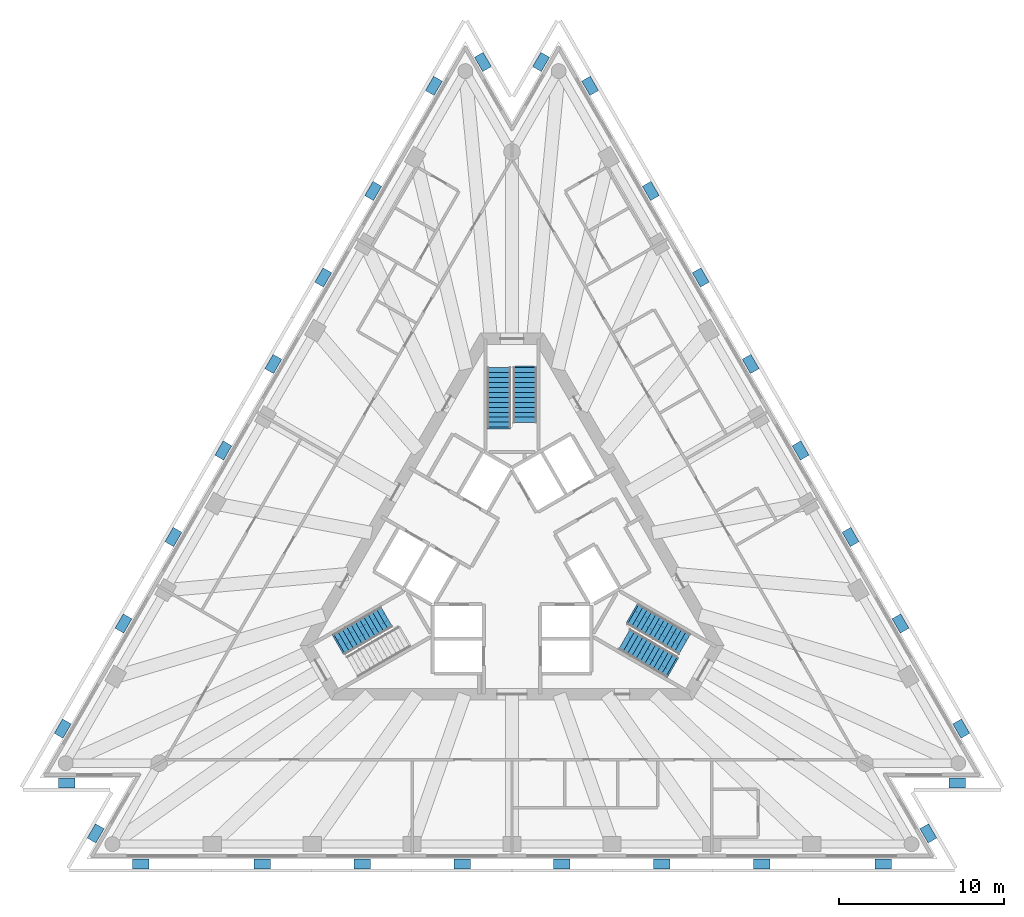
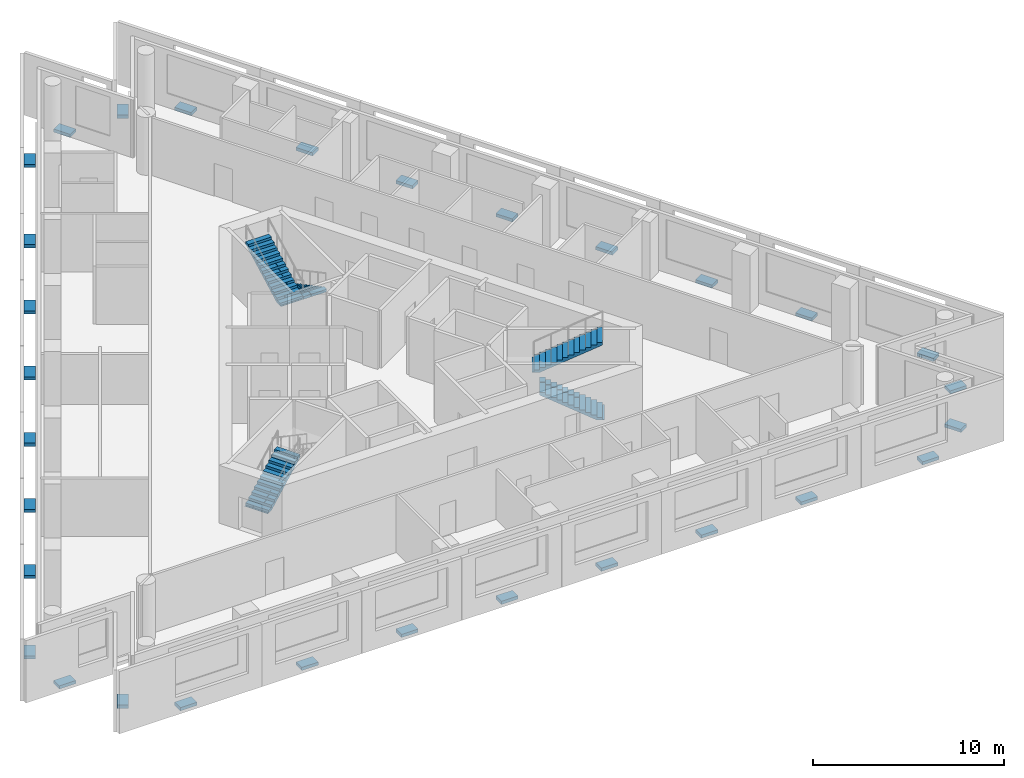
# One storey, part 7 of 9: 30 discrete accessories, 5 stair flights, 3 elements without a shape of their own.
"""IFC4 building model written with IfcOpenShell, lengths in metres."""

from ifc_helpers import new_model, si_unit, direction, frame, origin, origin_2d, place, context, subcontext, project, spatial, polyline, rectangle, outline, extrude, material, type_object, element, aggregate, save


model = new_model("IFC4")

# Units and contexts
model_context = context("Model", 3, precision=1e-05, world=origin(), true_north=direction((0.0, 1.0)))
body_context = subcontext(model_context, "Body", "Model", "MODEL_VIEW")
ifc_project = project(units=[si_unit("LENGTHUNIT", "METRE"), si_unit("AREAUNIT", "SQUARE_METRE"), si_unit("VOLUMEUNIT", "CUBIC_METRE"), si_unit("PLANEANGLEUNIT", "RADIAN"), si_unit("MASSUNIT", "GRAM", prefix="KILO")], contexts=[model_context])

# Site, building, storey
site_placement = place(None, origin())
site = spatial("IfcSite", under=ifc_project, at=site_placement, CompositionType="ELEMENT")
building_placement = place(site_placement, origin())
building = spatial("IfcBuilding", under=site, at=building_placement, Name="Triada Interchange Tower", CompositionType="ELEMENT")
storey_placement = place(building_placement, frame((0.0, 0.0, 215.300048828125)))
storey = spatial("IfcBuildingStorey", under=building, at=storey_placement, Name="L50", CompositionType="ELEMENT", Elevation=215.300048828125)

# Stair, stair flights
ifc_material_1 = material(Name="Concrete C35/45", Category="concrete")
stair_type = type_object("IfcStairType", Name="HALF TURN STAIR 1400", PredefinedType="HALF_TURN_STAIR", material=ifc_material_1)
stair_1_placement = place(storey_placement, origin())
stair_1 = element("IfcStair", 1, at=stair_1_placement, inside=storey, type_object=stair_type, Name="Exit stair S50-1", PredefinedType="HALF_TURN_STAIR")
stair_flight_type = type_object("IfcStairFlightType", Name="STRAIGHT STAIR FLIGHT 1400", PredefinedType="STRAIGHT", material=ifc_material_1)
stair_flight_1_placement = place(storey_placement, frame((0.800048828125, 11.60009765625, 0.0), z_axis=(0.0, 0.0, 1.0), x_axis=(0.0, -1.0, 0.0)))
stair_flight_1 = element("IfcStairFlight", 2, at=stair_flight_1_placement, type_object=stair_flight_type, Name="S50-1 flight 1", NumberOfRisers=12, NumberOfTreads=11, PredefinedType="STRAIGHT", RiserHeight=0.16, TreadLength=0.3, context=body_context, shape_type="SweptSolid", body=[
    extrude(outline(polyline([(-0.10009765625, 0.0), (-0.10009765625, 0.02001953125), (0.0, 0.02001953125), (0.0, 0.159912109375), (0.300048828125, 0.159912109375), (0.300048828125, 0.320068359375), (0.60009765625, 0.320068359375), (0.60009765625, 0.47998046875), (0.89990234375, 0.47998046875), (0.89990234375, 0.639892578125), (1.199951171875, 0.639892578125), (1.199951171875, 0.800048828125), (1.5, 0.800048828125), (1.5, 0.9599609375), (1.800048828125, 0.9599609375), (1.800048828125, 1.1201171875), (2.10009765625, 1.1201171875), (2.10009765625, 1.280029296875), (2.39990234375, 1.280029296875), (2.39990234375, 1.43994140625), (2.699951171875, 1.43994140625), (2.699951171875, 1.60009765625), (3.0, 1.60009765625), (3.0, 1.760009765625), (3.300048828125, 1.760009765625), (3.303955078125, 1.760009765625), (3.303955078125, 1.919921875), (3.303955078125, 1.590087890625), (0.318603515625, 0.0), (-0.10009765625, 0.0)])), frame((0.0, 0.699951171875, 0.0), z_axis=(0.0, -1.0, 0.0), x_axis=(1.0, 0.0, 0.0)), (0.0, 0.0, 1.0), 0.46533203125),
    extrude(outline(polyline([(-0.10009765625, 0.0), (-0.10009765625, 0.02001953125), (0.0, 0.02001953125), (0.0, 0.159912109375), (0.300048828125, 0.159912109375), (0.300048828125, 0.320068359375), (0.60009765625, 0.320068359375), (0.60009765625, 0.47998046875), (0.89990234375, 0.47998046875), (0.89990234375, 0.639892578125), (1.199951171875, 0.639892578125), (1.199951171875, 0.800048828125), (1.5, 0.800048828125), (1.5, 0.9599609375), (1.800048828125, 0.9599609375), (1.800048828125, 1.1201171875), (2.10009765625, 1.1201171875), (2.10009765625, 1.280029296875), (2.39990234375, 1.280029296875), (2.39990234375, 1.43994140625), (2.699951171875, 1.43994140625), (2.699951171875, 1.60009765625), (3.0, 1.60009765625), (3.0, 1.760009765625), (3.300048828125, 1.760009765625), (3.303955078125, 1.760009765625), (3.303955078125, 1.919921875), (3.303955078125, 1.590087890625), (0.318603515625, 0.0), (-0.10009765625, 0.0)])), frame((0.0, 0.232666015625, 0.0), z_axis=(0.0, -1.0, 0.0), x_axis=(1.0, 0.0, 0.0)), (0.0, 0.0, 1.0), 0.46533203125),
    extrude(outline(polyline([(-0.10009765625, 0.0), (-0.10009765625, 0.02001953125), (0.0, 0.02001953125), (0.0, 0.159912109375), (0.300048828125, 0.159912109375), (0.300048828125, 0.320068359375), (0.60009765625, 0.320068359375), (0.60009765625, 0.47998046875), (0.89990234375, 0.47998046875), (0.89990234375, 0.639892578125), (1.199951171875, 0.639892578125), (1.199951171875, 0.800048828125), (1.5, 0.800048828125), (1.5, 0.9599609375), (1.800048828125, 0.9599609375), (1.800048828125, 1.1201171875), (2.10009765625, 1.1201171875), (2.10009765625, 1.280029296875), (2.39990234375, 1.280029296875), (2.39990234375, 1.43994140625), (2.699951171875, 1.43994140625), (2.699951171875, 1.60009765625), (3.0, 1.60009765625), (3.0, 1.760009765625), (3.300048828125, 1.760009765625), (3.303955078125, 1.760009765625), (3.303955078125, 1.919921875), (3.303955078125, 1.590087890625), (0.318603515625, 0.0), (-0.10009765625, 0.0)])), frame((0.0, -0.234619140625, 0.0), z_axis=(0.0, -1.0, 0.0), x_axis=(1.0, 0.0, 0.0)), (0.0, 0.0, 1.0), 0.46533203125),
])
stair_flight_2_placement = place(storey_placement, frame((-0.800048828125, 8.0, 1.919921875), z_axis=(0.0, 0.0, 1.0), x_axis=(0.0, 1.0, 0.0)))
stair_flight_2 = element("IfcStairFlight", 3, at=stair_flight_2_placement, type_object=stair_flight_type, Name="S50-1 flight 2", NumberOfRisers=13, NumberOfTreads=12, PredefinedType="STRAIGHT", RiserHeight=0.16, TreadLength=0.3, context=body_context, shape_type="SweptSolid", body=[
    extrude(outline(polyline([(-0.10009765625, 0.0), (-0.10009765625, 0.02001953125), (0.0, 0.02001953125), (0.0, 0.159912109375), (0.300048828125, 0.159912109375), (0.300048828125, 0.320068359375), (0.60009765625, 0.320068359375), (0.60009765625, 0.47998046875), (0.89990234375, 0.47998046875), (0.89990234375, 0.639892578125), (1.199951171875, 0.639892578125), (1.199951171875, 0.800048828125), (1.5, 0.800048828125), (1.5, 0.9599609375), (1.800048828125, 0.9599609375), (1.800048828125, 1.1201171875), (2.10009765625, 1.1201171875), (2.10009765625, 1.280029296875), (2.39990234375, 1.280029296875), (2.39990234375, 1.43994140625), (2.699951171875, 1.43994140625), (2.699951171875, 1.60009765625), (3.0, 1.60009765625), (3.0, 1.760009765625), (3.300048828125, 1.760009765625), (3.300048828125, 1.919921875), (3.60009765625, 1.919921875), (3.60400390625, 1.919921875), (3.60400390625, 2.080078125), (3.60400390625, 1.75), (0.318603515625, 0.0), (-0.10009765625, 0.0)])), frame((0.0, 0.699951171875, 0.0), z_axis=(0.0, -1.0, 0.0), x_axis=(1.0, 0.0, 0.0)), (0.0, 0.0, 1.0), 0.46533203125),
    extrude(outline(polyline([(-0.10009765625, 0.0), (-0.10009765625, 0.02001953125), (0.0, 0.02001953125), (0.0, 0.159912109375), (0.300048828125, 0.159912109375), (0.300048828125, 0.320068359375), (0.60009765625, 0.320068359375), (0.60009765625, 0.47998046875), (0.89990234375, 0.47998046875), (0.89990234375, 0.639892578125), (1.199951171875, 0.639892578125), (1.199951171875, 0.800048828125), (1.5, 0.800048828125), (1.5, 0.9599609375), (1.800048828125, 0.9599609375), (1.800048828125, 1.1201171875), (2.10009765625, 1.1201171875), (2.10009765625, 1.280029296875), (2.39990234375, 1.280029296875), (2.39990234375, 1.43994140625), (2.699951171875, 1.43994140625), (2.699951171875, 1.60009765625), (3.0, 1.60009765625), (3.0, 1.760009765625), (3.300048828125, 1.760009765625), (3.300048828125, 1.919921875), (3.60009765625, 1.919921875), (3.60400390625, 1.919921875), (3.60400390625, 2.080078125), (3.60400390625, 1.75), (0.318603515625, 0.0), (-0.10009765625, 0.0)])), frame((0.0, 0.232666015625, 0.0), z_axis=(0.0, -1.0, 0.0), x_axis=(1.0, 0.0, 0.0)), (0.0, 0.0, 1.0), 0.46533203125),
    extrude(outline(polyline([(-0.10009765625, 0.0), (-0.10009765625, 0.02001953125), (0.0, 0.02001953125), (0.0, 0.159912109375), (0.300048828125, 0.159912109375), (0.300048828125, 0.320068359375), (0.60009765625, 0.320068359375), (0.60009765625, 0.47998046875), (0.89990234375, 0.47998046875), (0.89990234375, 0.639892578125), (1.199951171875, 0.639892578125), (1.199951171875, 0.800048828125), (1.5, 0.800048828125), (1.5, 0.9599609375), (1.800048828125, 0.9599609375), (1.800048828125, 1.1201171875), (2.10009765625, 1.1201171875), (2.10009765625, 1.280029296875), (2.39990234375, 1.280029296875), (2.39990234375, 1.43994140625), (2.699951171875, 1.43994140625), (2.699951171875, 1.60009765625), (3.0, 1.60009765625), (3.0, 1.760009765625), (3.300048828125, 1.760009765625), (3.300048828125, 1.919921875), (3.60009765625, 1.919921875), (3.60400390625, 1.919921875), (3.60400390625, 2.080078125), (3.60400390625, 1.75), (0.318603515625, 0.0), (-0.10009765625, 0.0)])), frame((0.0, -0.234619140625, 0.0), z_axis=(0.0, -1.0, 0.0), x_axis=(1.0, 0.0, 0.0)), (0.0, 0.0, 1.0), 0.46533203125),
])
aggregate(stair_1, [stair_flight_1, stair_flight_2])

# Stair, stair flight
stair_2_placement = place(storey_placement, origin())
stair_2 = element("IfcStair", 4, at=stair_2_placement, inside=storey, type_object=stair_type, Name="Exit stair S50-2", PredefinedType="HALF_TURN_STAIR")
stair_flight_3_placement = place(storey_placement, frame((-10.446044921875, -5.10693359375, 0.0), z_axis=(0.0, 0.0, 1.0), x_axis=(0.866025403784, 0.5, 0.0)))
stair_flight_3 = element("IfcStairFlight", 5, at=stair_flight_3_placement, type_object=stair_flight_type, Name="S50-2 flight 1", NumberOfRisers=12, NumberOfTreads=11, PredefinedType="STRAIGHT", RiserHeight=0.16, TreadLength=0.3, context=body_context, shape_type="SweptSolid", body=[
    extrude(outline(polyline([(-0.10009765625, 0.0), (-0.10009765625, 0.02001953125), (0.0, 0.02001953125), (0.0, 0.159912109375), (0.300048828125, 0.159912109375), (0.300048828125, 0.320068359375), (0.60009765625, 0.320068359375), (0.60009765625, 0.47998046875), (0.89990234375, 0.47998046875), (0.89990234375, 0.639892578125), (1.199951171875, 0.639892578125), (1.199951171875, 0.800048828125), (1.5, 0.800048828125), (1.5, 0.9599609375), (1.800048828125, 0.9599609375), (1.800048828125, 1.1201171875), (2.10009765625, 1.1201171875), (2.10009765625, 1.280029296875), (2.39990234375, 1.280029296875), (2.39990234375, 1.43994140625), (2.699951171875, 1.43994140625), (2.699951171875, 1.60009765625), (3.0, 1.60009765625), (3.0, 1.760009765625), (3.300048828125, 1.760009765625), (3.303955078125, 1.760009765625), (3.303955078125, 1.919921875), (3.303955078125, 1.590087890625), (0.318603515625, 0.0), (-0.10009765625, 0.0)])), frame((0.0, 0.699951171875, 0.0), z_axis=(0.0, -1.0, 0.0), x_axis=(1.0, 0.0, 0.0)), (0.0, 0.0, 1.0), 0.46533203125),
    extrude(outline(polyline([(-0.10009765625, 0.0), (-0.10009765625, 0.02001953125), (0.0, 0.02001953125), (0.0, 0.159912109375), (0.300048828125, 0.159912109375), (0.300048828125, 0.320068359375), (0.60009765625, 0.320068359375), (0.60009765625, 0.47998046875), (0.89990234375, 0.47998046875), (0.89990234375, 0.639892578125), (1.199951171875, 0.639892578125), (1.199951171875, 0.800048828125), (1.5, 0.800048828125), (1.5, 0.9599609375), (1.800048828125, 0.9599609375), (1.800048828125, 1.1201171875), (2.10009765625, 1.1201171875), (2.10009765625, 1.280029296875), (2.39990234375, 1.280029296875), (2.39990234375, 1.43994140625), (2.699951171875, 1.43994140625), (2.699951171875, 1.60009765625), (3.0, 1.60009765625), (3.0, 1.760009765625), (3.300048828125, 1.760009765625), (3.303955078125, 1.760009765625), (3.303955078125, 1.919921875), (3.303955078125, 1.590087890625), (0.318603515625, 0.0), (-0.10009765625, 0.0)])), frame((0.0, 0.232666015625, 0.0), z_axis=(0.0, -1.0, 0.0), x_axis=(1.0, 0.0, 0.0)), (0.0, 0.0, 1.0), 0.46533203125),
    extrude(outline(polyline([(-0.10009765625, 0.0), (-0.10009765625, 0.02001953125), (0.0, 0.02001953125), (0.0, 0.159912109375), (0.300048828125, 0.159912109375), (0.300048828125, 0.320068359375), (0.60009765625, 0.320068359375), (0.60009765625, 0.47998046875), (0.89990234375, 0.47998046875), (0.89990234375, 0.639892578125), (1.199951171875, 0.639892578125), (1.199951171875, 0.800048828125), (1.5, 0.800048828125), (1.5, 0.9599609375), (1.800048828125, 0.9599609375), (1.800048828125, 1.1201171875), (2.10009765625, 1.1201171875), (2.10009765625, 1.280029296875), (2.39990234375, 1.280029296875), (2.39990234375, 1.43994140625), (2.699951171875, 1.43994140625), (2.699951171875, 1.60009765625), (3.0, 1.60009765625), (3.0, 1.760009765625), (3.300048828125, 1.760009765625), (3.303955078125, 1.760009765625), (3.303955078125, 1.919921875), (3.303955078125, 1.590087890625), (0.318603515625, 0.0), (-0.10009765625, 0.0)])), frame((0.0, -0.234619140625, 0.0), z_axis=(0.0, -1.0, 0.0), x_axis=(1.0, 0.0, 0.0)), (0.0, 0.0, 1.0), 0.46533203125),
])
aggregate(stair_2, [stair_flight_3])

# Stair, stair flights
stair_3_placement = place(storey_placement, origin())
stair_3 = element("IfcStair", 6, at=stair_3_placement, inside=storey, type_object=stair_type, Name="Exit stair S50-3", PredefinedType="HALF_TURN_STAIR")
stair_flight_4_placement = place(storey_placement, frame((9.64599609375, -6.492919921875, 0.0), z_axis=(0.0, 0.0, 1.0), x_axis=(-0.866025403784, 0.5, 0.0)))
stair_flight_4 = element("IfcStairFlight", 7, at=stair_flight_4_placement, type_object=stair_flight_type, Name="S50-3 flight 1", NumberOfRisers=12, NumberOfTreads=11, PredefinedType="STRAIGHT", RiserHeight=0.16, TreadLength=0.3, context=body_context, shape_type="SweptSolid", body=[
    extrude(outline(polyline([(-0.10009765625, 0.0), (-0.10009765625, 0.02001953125), (0.0, 0.02001953125), (0.0, 0.159912109375), (0.300048828125, 0.159912109375), (0.300048828125, 0.320068359375), (0.60009765625, 0.320068359375), (0.60009765625, 0.47998046875), (0.89990234375, 0.47998046875), (0.89990234375, 0.639892578125), (1.199951171875, 0.639892578125), (1.199951171875, 0.800048828125), (1.5, 0.800048828125), (1.5, 0.9599609375), (1.800048828125, 0.9599609375), (1.800048828125, 1.1201171875), (2.10009765625, 1.1201171875), (2.10009765625, 1.280029296875), (2.39990234375, 1.280029296875), (2.39990234375, 1.43994140625), (2.699951171875, 1.43994140625), (2.699951171875, 1.60009765625), (3.0, 1.60009765625), (3.0, 1.760009765625), (3.300048828125, 1.760009765625), (3.303955078125, 1.760009765625), (3.303955078125, 1.919921875), (3.303955078125, 1.590087890625), (0.318603515625, 0.0), (-0.10009765625, 0.0)])), frame((0.0, 0.699951171875, 0.0), z_axis=(0.0, -1.0, 0.0), x_axis=(1.0, 0.0, 0.0)), (0.0, 0.0, 1.0), 0.46533203125),
    extrude(outline(polyline([(-0.10009765625, 0.0), (-0.10009765625, 0.02001953125), (0.0, 0.02001953125), (0.0, 0.159912109375), (0.300048828125, 0.159912109375), (0.300048828125, 0.320068359375), (0.60009765625, 0.320068359375), (0.60009765625, 0.47998046875), (0.89990234375, 0.47998046875), (0.89990234375, 0.639892578125), (1.199951171875, 0.639892578125), (1.199951171875, 0.800048828125), (1.5, 0.800048828125), (1.5, 0.9599609375), (1.800048828125, 0.9599609375), (1.800048828125, 1.1201171875), (2.10009765625, 1.1201171875), (2.10009765625, 1.280029296875), (2.39990234375, 1.280029296875), (2.39990234375, 1.43994140625), (2.699951171875, 1.43994140625), (2.699951171875, 1.60009765625), (3.0, 1.60009765625), (3.0, 1.760009765625), (3.300048828125, 1.760009765625), (3.303955078125, 1.760009765625), (3.303955078125, 1.919921875), (3.303955078125, 1.590087890625), (0.318603515625, 0.0), (-0.10009765625, 0.0)])), frame((0.0, 0.232666015625, 0.0), z_axis=(0.0, -1.0, 0.0), x_axis=(1.0, 0.0, 0.0)), (0.0, 0.0, 1.0), 0.46533203125),
    extrude(outline(polyline([(-0.10009765625, 0.0), (-0.10009765625, 0.02001953125), (0.0, 0.02001953125), (0.0, 0.159912109375), (0.300048828125, 0.159912109375), (0.300048828125, 0.320068359375), (0.60009765625, 0.320068359375), (0.60009765625, 0.47998046875), (0.89990234375, 0.47998046875), (0.89990234375, 0.639892578125), (1.199951171875, 0.639892578125), (1.199951171875, 0.800048828125), (1.5, 0.800048828125), (1.5, 0.9599609375), (1.800048828125, 0.9599609375), (1.800048828125, 1.1201171875), (2.10009765625, 1.1201171875), (2.10009765625, 1.280029296875), (2.39990234375, 1.280029296875), (2.39990234375, 1.43994140625), (2.699951171875, 1.43994140625), (2.699951171875, 1.60009765625), (3.0, 1.60009765625), (3.0, 1.760009765625), (3.300048828125, 1.760009765625), (3.303955078125, 1.760009765625), (3.303955078125, 1.919921875), (3.303955078125, 1.590087890625), (0.318603515625, 0.0), (-0.10009765625, 0.0)])), frame((0.0, -0.234619140625, 0.0), z_axis=(0.0, -1.0, 0.0), x_axis=(1.0, 0.0, 0.0)), (0.0, 0.0, 1.0), 0.46533203125),
])
stair_flight_5_placement = place(storey_placement, frame((7.327880859375, -3.306884765625, 1.919921875), z_axis=(0.0, 0.0, 1.0), x_axis=(0.866025403784, -0.5, 0.0)))
stair_flight_5 = element("IfcStairFlight", 8, at=stair_flight_5_placement, type_object=stair_flight_type, Name="S50-3 flight 2", NumberOfRisers=13, NumberOfTreads=12, PredefinedType="STRAIGHT", RiserHeight=0.16, TreadLength=0.3, context=body_context, shape_type="SweptSolid", body=[
    extrude(outline(polyline([(-0.10009765625, 0.0), (-0.10009765625, 0.02001953125), (0.0, 0.02001953125), (0.0, 0.159912109375), (0.300048828125, 0.159912109375), (0.300048828125, 0.320068359375), (0.60009765625, 0.320068359375), (0.60009765625, 0.47998046875), (0.89990234375, 0.47998046875), (0.89990234375, 0.639892578125), (1.199951171875, 0.639892578125), (1.199951171875, 0.800048828125), (1.5, 0.800048828125), (1.5, 0.9599609375), (1.800048828125, 0.9599609375), (1.800048828125, 1.1201171875), (2.10009765625, 1.1201171875), (2.10009765625, 1.280029296875), (2.39990234375, 1.280029296875), (2.39990234375, 1.43994140625), (2.699951171875, 1.43994140625), (2.699951171875, 1.60009765625), (3.0, 1.60009765625), (3.0, 1.760009765625), (3.300048828125, 1.760009765625), (3.300048828125, 1.919921875), (3.60009765625, 1.919921875), (3.60400390625, 1.919921875), (3.60400390625, 2.080078125), (3.60400390625, 1.75), (0.318603515625, 0.0), (-0.10009765625, 0.0)])), frame((0.0, 0.699951171875, 0.0), z_axis=(0.0, -1.0, 0.0), x_axis=(1.0, 0.0, 0.0)), (0.0, 0.0, 1.0), 0.46533203125),
    extrude(outline(polyline([(-0.10009765625, 0.0), (-0.10009765625, 0.02001953125), (0.0, 0.02001953125), (0.0, 0.159912109375), (0.300048828125, 0.159912109375), (0.300048828125, 0.320068359375), (0.60009765625, 0.320068359375), (0.60009765625, 0.47998046875), (0.89990234375, 0.47998046875), (0.89990234375, 0.639892578125), (1.199951171875, 0.639892578125), (1.199951171875, 0.800048828125), (1.5, 0.800048828125), (1.5, 0.9599609375), (1.800048828125, 0.9599609375), (1.800048828125, 1.1201171875), (2.10009765625, 1.1201171875), (2.10009765625, 1.280029296875), (2.39990234375, 1.280029296875), (2.39990234375, 1.43994140625), (2.699951171875, 1.43994140625), (2.699951171875, 1.60009765625), (3.0, 1.60009765625), (3.0, 1.760009765625), (3.300048828125, 1.760009765625), (3.300048828125, 1.919921875), (3.60009765625, 1.919921875), (3.60400390625, 1.919921875), (3.60400390625, 2.080078125), (3.60400390625, 1.75), (0.318603515625, 0.0), (-0.10009765625, 0.0)])), frame((0.0, 0.232666015625, 0.0), z_axis=(0.0, -1.0, 0.0), x_axis=(1.0, 0.0, 0.0)), (0.0, 0.0, 1.0), 0.46533203125),
    extrude(outline(polyline([(-0.10009765625, 0.0), (-0.10009765625, 0.02001953125), (0.0, 0.02001953125), (0.0, 0.159912109375), (0.300048828125, 0.159912109375), (0.300048828125, 0.320068359375), (0.60009765625, 0.320068359375), (0.60009765625, 0.47998046875), (0.89990234375, 0.47998046875), (0.89990234375, 0.639892578125), (1.199951171875, 0.639892578125), (1.199951171875, 0.800048828125), (1.5, 0.800048828125), (1.5, 0.9599609375), (1.800048828125, 0.9599609375), (1.800048828125, 1.1201171875), (2.10009765625, 1.1201171875), (2.10009765625, 1.280029296875), (2.39990234375, 1.280029296875), (2.39990234375, 1.43994140625), (2.699951171875, 1.43994140625), (2.699951171875, 1.60009765625), (3.0, 1.60009765625), (3.0, 1.760009765625), (3.300048828125, 1.760009765625), (3.300048828125, 1.919921875), (3.60009765625, 1.919921875), (3.60400390625, 1.919921875), (3.60400390625, 2.080078125), (3.60400390625, 1.75), (0.318603515625, 0.0), (-0.10009765625, 0.0)])), frame((0.0, -0.234619140625, 0.0), z_axis=(0.0, -1.0, 0.0), x_axis=(1.0, 0.0, 0.0)), (0.0, 0.0, 1.0), 0.46533203125),
])
aggregate(stair_3, [stair_flight_4, stair_flight_5])

# Discrete accessories
ifc_material_2 = material(Name="Steel S355", Category="steel")
discrete_accessory_type = type_object("IfcDiscreteAccessoryType", Name="Steel bracket outer skin", PredefinedType="BRACKET", material=ifc_material_2)
for number, where, z_axis, x_axis, name in (
    (9, (-4.722900390625, 28.638916015625, -0.27001953125), (0.0, 0.0, 1.0), (-0.866025019812, 0.50000066506, 0.0), "Bracket L50 01"),
    (10, (-8.39306640625, 22.282958984375, -0.27001953125), (0.0, 0.0, 1.0), (-0.866025019812, 0.50000066506, 0.0), "Bracket L50 02"),
    (11, (-11.4130859375, 17.052001953125, -0.27001953125), (0.0, 0.0, 1.0), (-0.866025019812, 0.50000066506, 0.0), "Bracket L50 03"),
    (12, (-14.43310546875, 11.821044921875, -0.27001953125), (0.0, 0.0, 1.0), (-0.866025019812, 0.50000066506, 0.0), "Bracket L50 04"),
    (13, (-17.452880859375, 6.589111328125, -0.27001953125), (0.0, 0.0, 1.0), (-0.866025019812, 0.50000066506, 0.0), "Bracket L50 05"),
    (14, (-20.47412109375, 1.35791015625, -0.27001953125), (0.0, 0.0, 1.0), (-0.866025019812, 0.50000066506, 0.0), "Bracket L50 06"),
    (15, (-23.493896484375, -3.873046875, -0.27001953125), (0.0, 0.0, 1.0), (-0.866025019812, 0.50000066506, 0.0), "Bracket L50 07"),
    (16, (-27.1640625, -10.22900390625, -0.27001953125), (0.0, 0.0, 1.0), (-0.866025019812, 0.50000066506, 0.0), "Bracket L50 08"),
    (17, (-26.93408203125, -13.52001953125, -0.27001953125), (0.0, 0.0, 1.0), (0.0, -1.0, 0.0), "Bracket L50 09"),
    (18, (-25.175048828125, -16.56494140625, -0.27001953125), (0.0, 0.0, 1.0), (-0.866044025847, 0.499967744255, 0.0), "Bracket L50 10"),
    (19, (-22.44091796875, -18.409912109375, -0.27001953125), (0.0, 0.0, 1.0), (0.0, -1.0, 0.0), "Bracket L50 11"),
    (20, (-15.10107421875, -18.409912109375, -0.27001953125), (0.0, 0.0, 1.0), (0.0, -1.0, 0.0), "Bracket L50 12"),
    (21, (-9.06103515625, -18.409912109375, -0.27001953125), (0.0, 0.0, 1.0), (0.0, -1.0, 0.0), "Bracket L50 13"),
    (22, (-3.02001953125, -18.409912109375, -0.27001953125), (0.0, 0.0, 1.0), (0.0, -1.0, 0.0), "Bracket L50 14"),
    (23, (3.02001953125, -18.409912109375, -0.27001953125), (0.0, 0.0, 1.0), (0.0, -1.0, 0.0), "Bracket L50 15"),
    (24, (9.06103515625, -18.409912109375, -0.27001953125), (0.0, 0.0, 1.0), (0.0, -1.0, 0.0), "Bracket L50 16"),
    (25, (15.10107421875, -18.409912109375, -0.27001953125), (0.0, 0.0, 1.0), (0.0, -1.0, 0.0), "Bracket L50 17"),
    (26, (22.44091796875, -18.409912109375, -0.27001953125), (0.0, 0.0, 1.0), (0.0, -1.0, 0.0), "Bracket L50 18"),
    (27, (25.175048828125, -16.56494140625, -0.27001953125), (0.0, 0.0, 1.0), (0.866044025847, 0.499967744255, 0.0), "Bracket L50 19"),
    (28, (26.93408203125, -13.52001953125, -0.27001953125), (0.0, 0.0, 1.0), (0.0, -1.0, 0.0), "Bracket L50 20"),
    (29, (27.1640625, -10.22900390625, -0.27001953125), (0.0, 0.0, 1.0), (0.866025019812, 0.50000066506, 0.0), "Bracket L50 21"),
    (30, (23.493896484375, -3.873046875, -0.27001953125), (0.0, 0.0, 1.0), (0.866025019812, 0.50000066506, 0.0), "Bracket L50 22"),
    (31, (20.47412109375, 1.35791015625, -0.27001953125), (0.0, 0.0, 1.0), (0.866025019812, 0.50000066506, 0.0), "Bracket L50 23"),
    (32, (17.452880859375, 6.589111328125, -0.27001953125), (0.0, 0.0, 1.0), (0.866025019812, 0.50000066506, 0.0), "Bracket L50 24"),
    (33, (14.43310546875, 11.821044921875, -0.27001953125), (0.0, 0.0, 1.0), (0.866025019812, 0.50000066506, 0.0), "Bracket L50 25"),
    (34, (11.4130859375, 17.052001953125, -0.27001953125), (0.0, 0.0, 1.0), (0.866025019812, 0.50000066506, 0.0), "Bracket L50 26"),
    (35, (8.39306640625, 22.282958984375, -0.27001953125), (0.0, 0.0, 1.0), (0.866025019812, 0.50000066506, 0.0), "Bracket L50 27"),
    (36, (4.722900390625, 28.638916015625, -0.27001953125), (0.0, 0.0, 1.0), (0.866025019812, 0.50000066506, 0.0), "Bracket L50 28"),
    (37, (1.758056640625, 30.0849609375, -0.27001953125), (0.0, 0.0, 1.0), (-0.865999746304, 0.500044437426, 0.0), "Bracket L50 29"),
    (38, (-1.758056640625, 30.0849609375, -0.27001953125), (0.0, 0.0, 1.0), (0.865999746304, 0.500044437426, 0.0), "Bracket L50 30"),
):
    element("IfcDiscreteAccessory", number, at=place(storey_placement, frame(where, z_axis=z_axis, x_axis=x_axis)), inside=storey, type_object=discrete_accessory_type, Name=name, PredefinedType="BRACKET", context=body_context, shape_type="SweptSolid", body=[
        extrude(rectangle(XDim=0.60009765625, YDim=1.0, at=origin_2d()), origin(), (0.0, 0.0, 1.0), 0.199951171875),
    ])

save(model, "model.ifc")
